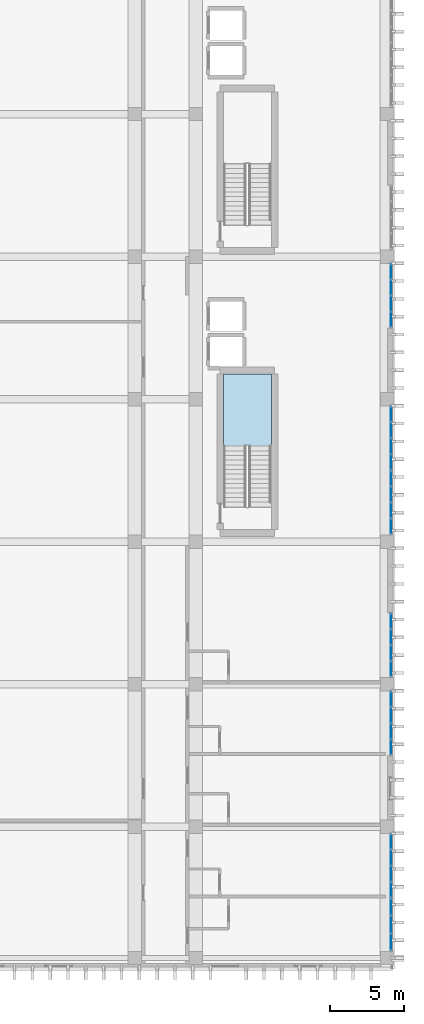
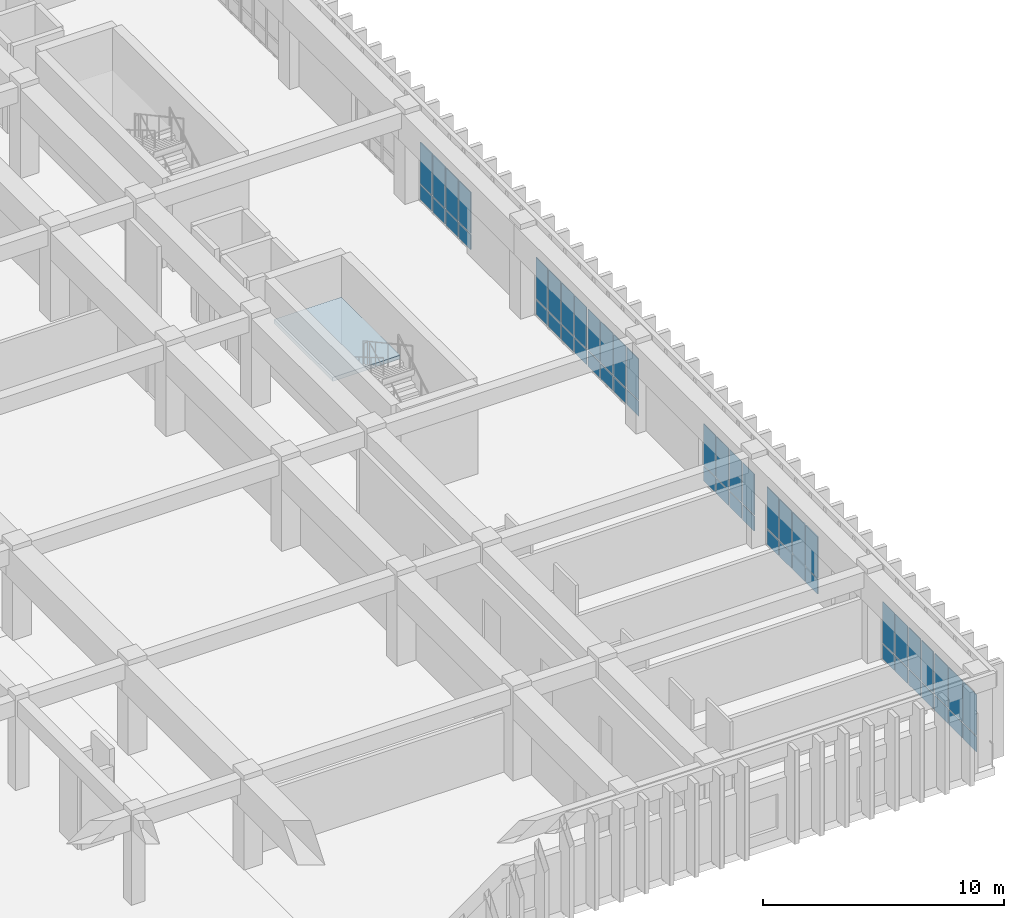
# One storey, part 67 of 101: 54 plates, 1 slab, 8 elements without a shape of their own.
"""IFC4 building model written with IfcOpenShell, lengths in metres."""

from ifc_helpers import new_model, si_unit, direction, frame, origin, origin_2d, place, context, subcontext, project, spatial, polyline, rectangle, outline, extrude, material, layer, layer_set, type_object, element, aggregate, save


model = new_model("IFC4")

# Units and contexts
model_context = context("Model", 3, precision=1e-05, world=origin(), true_north=direction((0.0, 1.0)))
body_context = subcontext(model_context, "Body", "Model", "MODEL_VIEW")
ifc_project = project(units=[si_unit("LENGTHUNIT", "METRE"), si_unit("AREAUNIT", "SQUARE_METRE"), si_unit("VOLUMEUNIT", "CUBIC_METRE"), si_unit("PLANEANGLEUNIT", "RADIAN"), si_unit("MASSUNIT", "GRAM", prefix="KILO")], contexts=[model_context])

# Site, building, storey
site_placement = place(None, origin())
site = spatial("IfcSite", under=ifc_project, at=site_placement, CompositionType="ELEMENT")
building_placement = place(site_placement, origin())
building = spatial("IfcBuilding", under=site, at=building_placement, Name="Nakhvara Creek Congress Hotel", CompositionType="ELEMENT")
storey_placement = place(building_placement, frame((0.0, 0.0, 16.199951171875)))
storey = spatial("IfcBuildingStorey", under=building, at=storey_placement, Name="L03", CompositionType="ELEMENT", Elevation=16.199951171875)

# Curtain wall, plates
ifc_material_1 = material(Name="Bronze-anodised aluminium AW-6063-T6 and double-silver low-E glass", Category="aluminium")
ifc_layer_1 = layer(ifc_material_1, 0.199951171875)
ifc_layer_set_1 = layer_set([ifc_layer_1], Name="Bronze-anodised aluminium AW-6063-T6 and double-silver low-E glass")
curtain_wall_type = type_object("IfcCurtainWallType", Name="CW-HTL-UNIT", PredefinedType="USERDEFINED", material=ifc_layer_set_1)
curtain_wall_1_placement = place(storey_placement, origin())
curtain_wall_1 = element("IfcCurtainWall", 1, at=curtain_wall_1_placement, inside=storey, type_object=curtain_wall_type, Name="Curtain Wall CW150", ObjectType="UNITISED", PredefinedType="USERDEFINED")
ifc_material_2 = material(Name="Double-silver solar-control low-E insulated glass", Category="glass")
plate_type_1 = type_object("IfcPlateType", Name="PNL-GLZ-120X250", PredefinedType="CURTAIN_PANEL", material=ifc_material_2)
plate_1_placement = place(storey_placement, frame((179.60009765625, 4.186279296875, 0.065185546875), z_axis=(0.0, 0.0, 1.0), x_axis=(0.0, -1.0, 0.0)))
plate_1 = element("IfcPlate", 2, at=plate_1_placement, type_object=plate_type_1, Name="CW150 panel 1.1", PredefinedType="CURTAIN_PANEL", context=body_context, shape_type="SweptSolid", body=[
    extrude(rectangle(XDim=1.097412109375, YDim=0.028076171875, at=origin_2d()), origin(), (0.0, 0.0, 1.0), 0.75244140625),
])
plate_2_placement = place(storey_placement, frame((179.60009765625, 4.186279296875, 0.882568359375), z_axis=(0.0, 0.0, 1.0), x_axis=(0.0, -1.0, 0.0)))
plate_2 = element("IfcPlate", 3, at=plate_2_placement, type_object=plate_type_1, Name="CW150 panel 1.2", PredefinedType="CURTAIN_PANEL", context=body_context, shape_type="SweptSolid", body=[
    extrude(rectangle(XDim=1.097412109375, YDim=0.028076171875, at=origin_2d()), origin(), (0.0, 0.0, 1.0), 2.08447265625),
])
plate_3_placement = place(storey_placement, frame((179.60009765625, 3.007568359375, 0.065185546875), z_axis=(0.0, 0.0, 1.0), x_axis=(0.0, -1.0, 0.0)))
plate_3 = element("IfcPlate", 4, at=plate_3_placement, type_object=plate_type_1, Name="CW150 panel 2.1", PredefinedType="CURTAIN_PANEL", context=body_context, shape_type="SweptSolid", body=[
    extrude(rectangle(XDim=1.1298828125, YDim=0.028076171875, at=origin_2d()), origin(), (0.0, 0.0, 1.0), 0.75244140625),
])
plate_4_placement = place(storey_placement, frame((179.60009765625, 3.007568359375, 0.882568359375), z_axis=(0.0, 0.0, 1.0), x_axis=(0.0, -1.0, 0.0)))
plate_4 = element("IfcPlate", 5, at=plate_4_placement, type_object=plate_type_1, Name="CW150 panel 2.2", PredefinedType="CURTAIN_PANEL", context=body_context, shape_type="SweptSolid", body=[
    extrude(rectangle(XDim=1.1298828125, YDim=0.028076171875, at=origin_2d()), origin(), (0.0, 0.0, 1.0), 2.08447265625),
])
plate_5_placement = place(storey_placement, frame((179.60009765625, 1.828857421875, 0.065185546875), z_axis=(0.0, 0.0, 1.0), x_axis=(0.0, -1.0, 0.0)))
plate_5 = element("IfcPlate", 6, at=plate_5_placement, type_object=plate_type_1, Name="CW150 panel 3.1", PredefinedType="CURTAIN_PANEL", context=body_context, shape_type="SweptSolid", body=[
    extrude(rectangle(XDim=1.097412109375, YDim=0.028076171875, at=origin_2d()), origin(), (0.0, 0.0, 1.0), 0.75244140625),
])
plate_6_placement = place(storey_placement, frame((179.60009765625, 1.828857421875, 0.882568359375), z_axis=(0.0, 0.0, 1.0), x_axis=(0.0, -1.0, 0.0)))
plate_6 = element("IfcPlate", 7, at=plate_6_placement, type_object=plate_type_1, Name="CW150 panel 3.2", PredefinedType="CURTAIN_PANEL", context=body_context, shape_type="SweptSolid", body=[
    extrude(rectangle(XDim=1.097412109375, YDim=0.028076171875, at=origin_2d()), origin(), (0.0, 0.0, 1.0), 2.08447265625),
])
aggregate(curtain_wall_1, [plate_1, plate_2, plate_3, plate_4, plate_5, plate_6])

curtain_wall_2_placement = place(storey_placement, origin())
curtain_wall_2 = element("IfcCurtainWall", 8, at=curtain_wall_2_placement, inside=storey, type_object=curtain_wall_type, Name="Curtain Wall CW151", ObjectType="UNITISED", PredefinedType="USERDEFINED")
plate_7_placement = place(storey_placement, frame((179.60009765625, 8.576904296875, 0.065185546875), z_axis=(0.0, 0.0, 1.0), x_axis=(0.0, -1.0, 0.0)))
plate_7 = element("IfcPlate", 9, at=plate_7_placement, type_object=plate_type_1, Name="CW151 panel 1.1", PredefinedType="CURTAIN_PANEL", context=body_context, shape_type="SweptSolid", body=[
    extrude(rectangle(XDim=0.986328125, YDim=0.028076171875, at=origin_2d()), origin(), (0.0, 0.0, 1.0), 0.75244140625),
])
plate_8_placement = place(storey_placement, frame((179.60009765625, 8.576904296875, 0.882568359375), z_axis=(0.0, 0.0, 1.0), x_axis=(0.0, -1.0, 0.0)))
plate_8 = element("IfcPlate", 10, at=plate_8_placement, type_object=plate_type_1, Name="CW151 panel 1.2", PredefinedType="CURTAIN_PANEL", context=body_context, shape_type="SweptSolid", body=[
    extrude(rectangle(XDim=0.986328125, YDim=0.028076171875, at=origin_2d()), origin(), (0.0, 0.0, 1.0), 2.08447265625),
])
plate_9_placement = place(storey_placement, frame((179.60009765625, 7.50927734375, 0.065185546875), z_axis=(0.0, 0.0, 1.0), x_axis=(0.0, -1.0, 0.0)))
plate_9 = element("IfcPlate", 11, at=plate_9_placement, type_object=plate_type_1, Name="CW151 panel 2.1", PredefinedType="CURTAIN_PANEL", context=body_context, shape_type="SweptSolid", body=[
    extrude(rectangle(XDim=1.018798828125, YDim=0.028076171875, at=origin_2d()), origin(), (0.0, 0.0, 1.0), 0.75244140625),
])
plate_10_placement = place(storey_placement, frame((179.60009765625, 7.50927734375, 0.882568359375), z_axis=(0.0, 0.0, 1.0), x_axis=(0.0, -1.0, 0.0)))
plate_10 = element("IfcPlate", 12, at=plate_10_placement, type_object=plate_type_1, Name="CW151 panel 2.2", PredefinedType="CURTAIN_PANEL", context=body_context, shape_type="SweptSolid", body=[
    extrude(rectangle(XDim=1.018798828125, YDim=0.028076171875, at=origin_2d()), origin(), (0.0, 0.0, 1.0), 2.08447265625),
])
plate_11_placement = place(storey_placement, frame((179.60009765625, 6.425537109375, 0.065185546875), z_axis=(0.0, 0.0, 1.0), x_axis=(0.0, -1.0, 0.0)))
plate_11 = element("IfcPlate", 13, at=plate_11_placement, type_object=plate_type_1, Name="CW151 panel 3.1", PredefinedType="CURTAIN_PANEL", context=body_context, shape_type="SweptSolid", body=[
    extrude(rectangle(XDim=1.018798828125, YDim=0.028076171875, at=origin_2d()), origin(), (0.0, 0.0, 1.0), 0.75244140625),
])
plate_12_placement = place(storey_placement, frame((179.60009765625, 6.425537109375, 0.882568359375), z_axis=(0.0, 0.0, 1.0), x_axis=(0.0, -1.0, 0.0)))
plate_12 = element("IfcPlate", 14, at=plate_12_placement, type_object=plate_type_1, Name="CW151 panel 3.2", PredefinedType="CURTAIN_PANEL", context=body_context, shape_type="SweptSolid", body=[
    extrude(rectangle(XDim=1.018798828125, YDim=0.028076171875, at=origin_2d()), origin(), (0.0, 0.0, 1.0), 2.08447265625),
])
plate_13_placement = place(storey_placement, frame((179.60009765625, 5.358154296875, 0.065185546875), z_axis=(0.0, 0.0, 1.0), x_axis=(0.0, -1.0, 0.0)))
plate_13 = element("IfcPlate", 15, at=plate_13_placement, type_object=plate_type_1, Name="CW151 panel 4.1", PredefinedType="CURTAIN_PANEL", context=body_context, shape_type="SweptSolid", body=[
    extrude(rectangle(XDim=0.986328125, YDim=0.028076171875, at=origin_2d()), origin(), (0.0, 0.0, 1.0), 0.75244140625),
])
plate_14_placement = place(storey_placement, frame((179.60009765625, 5.358154296875, 0.882568359375), z_axis=(0.0, 0.0, 1.0), x_axis=(0.0, -1.0, 0.0)))
plate_14 = element("IfcPlate", 16, at=plate_14_placement, type_object=plate_type_1, Name="CW151 panel 4.2", PredefinedType="CURTAIN_PANEL", context=body_context, shape_type="SweptSolid", body=[
    extrude(rectangle(XDim=0.986328125, YDim=0.028076171875, at=origin_2d()), origin(), (0.0, 0.0, 1.0), 2.08447265625),
])
aggregate(curtain_wall_2, [plate_7, plate_8, plate_9, plate_10, plate_11, plate_12, plate_13, plate_14])

curtain_wall_3_placement = place(storey_placement, origin())
curtain_wall_3 = element("IfcCurtainWall", 17, at=curtain_wall_3_placement, inside=storey, type_object=curtain_wall_type, Name="Curtain Wall CW153", ObjectType="UNITISED", PredefinedType="USERDEFINED")
plate_15_placement = place(storey_placement, frame((179.60009765625, 23.44189453125, 0.065185546875), z_axis=(0.0, 0.0, 1.0), x_axis=(0.0, -1.0, 0.0)))
plate_15 = element("IfcPlate", 18, at=plate_15_placement, type_object=plate_type_1, Name="CW153 panel 1.1", PredefinedType="CURTAIN_PANEL", context=body_context, shape_type="SweptSolid", body=[
    extrude(rectangle(XDim=0.986328125, YDim=0.028076171875, at=origin_2d()), origin(), (0.0, 0.0, 1.0), 0.75244140625),
])
plate_16_placement = place(storey_placement, frame((179.60009765625, 23.44189453125, 0.882568359375), z_axis=(0.0, 0.0, 1.0), x_axis=(0.0, -1.0, 0.0)))
plate_16 = element("IfcPlate", 19, at=plate_16_placement, type_object=plate_type_1, Name="CW153 panel 1.2", PredefinedType="CURTAIN_PANEL", context=body_context, shape_type="SweptSolid", body=[
    extrude(rectangle(XDim=0.986328125, YDim=0.028076171875, at=origin_2d()), origin(), (0.0, 0.0, 1.0), 2.08447265625),
])
plate_17_placement = place(storey_placement, frame((179.60009765625, 22.374267578125, 0.065185546875), z_axis=(0.0, 0.0, 1.0), x_axis=(0.0, -1.0, 0.0)))
plate_17 = element("IfcPlate", 20, at=plate_17_placement, type_object=plate_type_1, Name="CW153 panel 2.1", PredefinedType="CURTAIN_PANEL", context=body_context, shape_type="SweptSolid", body=[
    extrude(rectangle(XDim=1.018798828125, YDim=0.028076171875, at=origin_2d()), origin(), (0.0, 0.0, 1.0), 0.75244140625),
])
plate_18_placement = place(storey_placement, frame((179.60009765625, 22.374267578125, 0.882568359375), z_axis=(0.0, 0.0, 1.0), x_axis=(0.0, -1.0, 0.0)))
plate_18 = element("IfcPlate", 21, at=plate_18_placement, type_object=plate_type_1, Name="CW153 panel 2.2", PredefinedType="CURTAIN_PANEL", context=body_context, shape_type="SweptSolid", body=[
    extrude(rectangle(XDim=1.018798828125, YDim=0.028076171875, at=origin_2d()), origin(), (0.0, 0.0, 1.0), 2.08447265625),
])
plate_19_placement = place(storey_placement, frame((179.60009765625, 21.29052734375, 0.065185546875), z_axis=(0.0, 0.0, 1.0), x_axis=(0.0, -1.0, 0.0)))
plate_19 = element("IfcPlate", 22, at=plate_19_placement, type_object=plate_type_1, Name="CW153 panel 3.1", PredefinedType="CURTAIN_PANEL", context=body_context, shape_type="SweptSolid", body=[
    extrude(rectangle(XDim=1.018798828125, YDim=0.028076171875, at=origin_2d()), origin(), (0.0, 0.0, 1.0), 0.75244140625),
])
plate_20_placement = place(storey_placement, frame((179.60009765625, 21.29052734375, 0.882568359375), z_axis=(0.0, 0.0, 1.0), x_axis=(0.0, -1.0, 0.0)))
plate_20 = element("IfcPlate", 23, at=plate_20_placement, type_object=plate_type_1, Name="CW153 panel 3.2", PredefinedType="CURTAIN_PANEL", context=body_context, shape_type="SweptSolid", body=[
    extrude(rectangle(XDim=1.018798828125, YDim=0.028076171875, at=origin_2d()), origin(), (0.0, 0.0, 1.0), 2.08447265625),
])
plate_21_placement = place(storey_placement, frame((179.60009765625, 20.22314453125, 0.065185546875), z_axis=(0.0, 0.0, 1.0), x_axis=(0.0, -1.0, 0.0)))
plate_21 = element("IfcPlate", 24, at=plate_21_placement, type_object=plate_type_1, Name="CW153 panel 4.1", PredefinedType="CURTAIN_PANEL", context=body_context, shape_type="SweptSolid", body=[
    extrude(rectangle(XDim=0.986328125, YDim=0.028076171875, at=origin_2d()), origin(), (0.0, 0.0, 1.0), 0.75244140625),
])
plate_22_placement = place(storey_placement, frame((179.60009765625, 20.22314453125, 0.882568359375), z_axis=(0.0, 0.0, 1.0), x_axis=(0.0, -1.0, 0.0)))
plate_22 = element("IfcPlate", 25, at=plate_22_placement, type_object=plate_type_1, Name="CW153 panel 4.2", PredefinedType="CURTAIN_PANEL", context=body_context, shape_type="SweptSolid", body=[
    extrude(rectangle(XDim=0.986328125, YDim=0.028076171875, at=origin_2d()), origin(), (0.0, 0.0, 1.0), 2.08447265625),
])
aggregate(curtain_wall_3, [plate_15, plate_16, plate_17, plate_18, plate_19, plate_20, plate_21, plate_22])

curtain_wall_4_placement = place(storey_placement, origin())
curtain_wall_4 = element("IfcCurtainWall", 26, at=curtain_wall_4_placement, inside=storey, type_object=curtain_wall_type, Name="Curtain Wall CW154", ObjectType="UNITISED", PredefinedType="USERDEFINED")
plate_23_placement = place(storey_placement, frame((179.60009765625, 33.0419921875, 0.065185546875), z_axis=(0.0, 0.0, 1.0), x_axis=(0.0, -1.0, 0.0)))
plate_23 = element("IfcPlate", 27, at=plate_23_placement, type_object=plate_type_1, Name="CW154 panel 1.1", PredefinedType="CURTAIN_PANEL", context=body_context, shape_type="SweptSolid", body=[
    extrude(rectangle(XDim=0.986328125, YDim=0.028076171875, at=origin_2d()), origin(), (0.0, 0.0, 1.0), 0.75244140625),
])
plate_24_placement = place(storey_placement, frame((179.60009765625, 33.0419921875, 0.882568359375), z_axis=(0.0, 0.0, 1.0), x_axis=(0.0, -1.0, 0.0)))
plate_24 = element("IfcPlate", 28, at=plate_24_placement, type_object=plate_type_1, Name="CW154 panel 1.2", PredefinedType="CURTAIN_PANEL", context=body_context, shape_type="SweptSolid", body=[
    extrude(rectangle(XDim=0.986328125, YDim=0.028076171875, at=origin_2d()), origin(), (0.0, 0.0, 1.0), 2.08447265625),
])
plate_25_placement = place(storey_placement, frame((179.60009765625, 31.974365234375, 0.065185546875), z_axis=(0.0, 0.0, 1.0), x_axis=(0.0, -1.0, 0.0)))
plate_25 = element("IfcPlate", 29, at=plate_25_placement, type_object=plate_type_1, Name="CW154 panel 2.1", PredefinedType="CURTAIN_PANEL", context=body_context, shape_type="SweptSolid", body=[
    extrude(rectangle(XDim=1.018798828125, YDim=0.028076171875, at=origin_2d()), origin(), (0.0, 0.0, 1.0), 0.75244140625),
])
plate_26_placement = place(storey_placement, frame((179.60009765625, 31.974365234375, 0.882568359375), z_axis=(0.0, 0.0, 1.0), x_axis=(0.0, -1.0, 0.0)))
plate_26 = element("IfcPlate", 30, at=plate_26_placement, type_object=plate_type_1, Name="CW154 panel 2.2", PredefinedType="CURTAIN_PANEL", context=body_context, shape_type="SweptSolid", body=[
    extrude(rectangle(XDim=1.018798828125, YDim=0.028076171875, at=origin_2d()), origin(), (0.0, 0.0, 1.0), 2.08447265625),
])
plate_27_placement = place(storey_placement, frame((179.60009765625, 30.890625, 0.065185546875), z_axis=(0.0, 0.0, 1.0), x_axis=(0.0, -1.0, 0.0)))
plate_27 = element("IfcPlate", 31, at=plate_27_placement, type_object=plate_type_1, Name="CW154 panel 3.1", PredefinedType="CURTAIN_PANEL", context=body_context, shape_type="SweptSolid", body=[
    extrude(rectangle(XDim=1.018798828125, YDim=0.028076171875, at=origin_2d()), origin(), (0.0, 0.0, 1.0), 0.75244140625),
])
plate_28_placement = place(storey_placement, frame((179.60009765625, 30.890625, 0.882568359375), z_axis=(0.0, 0.0, 1.0), x_axis=(0.0, -1.0, 0.0)))
plate_28 = element("IfcPlate", 32, at=plate_28_placement, type_object=plate_type_1, Name="CW154 panel 3.2", PredefinedType="CURTAIN_PANEL", context=body_context, shape_type="SweptSolid", body=[
    extrude(rectangle(XDim=1.018798828125, YDim=0.028076171875, at=origin_2d()), origin(), (0.0, 0.0, 1.0), 2.08447265625),
])
plate_29_placement = place(storey_placement, frame((179.60009765625, 29.8232421875, 0.065185546875), z_axis=(0.0, 0.0, 1.0), x_axis=(0.0, -1.0, 0.0)))
plate_29 = element("IfcPlate", 33, at=plate_29_placement, type_object=plate_type_1, Name="CW154 panel 4.1", PredefinedType="CURTAIN_PANEL", context=body_context, shape_type="SweptSolid", body=[
    extrude(rectangle(XDim=0.986328125, YDim=0.028076171875, at=origin_2d()), origin(), (0.0, 0.0, 1.0), 0.75244140625),
])
plate_30_placement = place(storey_placement, frame((179.60009765625, 29.8232421875, 0.882568359375), z_axis=(0.0, 0.0, 1.0), x_axis=(0.0, -1.0, 0.0)))
plate_30 = element("IfcPlate", 34, at=plate_30_placement, type_object=plate_type_1, Name="CW154 panel 4.2", PredefinedType="CURTAIN_PANEL", context=body_context, shape_type="SweptSolid", body=[
    extrude(rectangle(XDim=0.986328125, YDim=0.028076171875, at=origin_2d()), origin(), (0.0, 0.0, 1.0), 2.08447265625),
])
aggregate(curtain_wall_4, [plate_23, plate_24, plate_25, plate_26, plate_27, plate_28, plate_29, plate_30])

curtain_wall_5_placement = place(storey_placement, origin())
curtain_wall_5 = element("IfcCurtainWall", 35, at=curtain_wall_5_placement, inside=storey, type_object=curtain_wall_type, Name="Curtain Wall CW155", ObjectType="UNITISED", PredefinedType="USERDEFINED")
plate_31_placement = place(storey_placement, frame((179.60009765625, 37.376953125, 0.065185546875), z_axis=(0.0, 0.0, 1.0), x_axis=(0.0, -1.0, 0.0)))
plate_31 = element("IfcPlate", 36, at=plate_31_placement, type_object=plate_type_1, Name="CW155 panel 1.1", PredefinedType="CURTAIN_PANEL", context=body_context, shape_type="SweptSolid", body=[
    extrude(rectangle(XDim=0.986328125, YDim=0.028076171875, at=origin_2d()), origin(), (0.0, 0.0, 1.0), 0.75244140625),
])
plate_32_placement = place(storey_placement, frame((179.60009765625, 37.376953125, 0.882568359375), z_axis=(0.0, 0.0, 1.0), x_axis=(0.0, -1.0, 0.0)))
plate_32 = element("IfcPlate", 37, at=plate_32_placement, type_object=plate_type_1, Name="CW155 panel 1.2", PredefinedType="CURTAIN_PANEL", context=body_context, shape_type="SweptSolid", body=[
    extrude(rectangle(XDim=0.986328125, YDim=0.028076171875, at=origin_2d()), origin(), (0.0, 0.0, 1.0), 2.08447265625),
])
plate_33_placement = place(storey_placement, frame((179.60009765625, 36.309326171875, 0.065185546875), z_axis=(0.0, 0.0, 1.0), x_axis=(0.0, -1.0, 0.0)))
plate_33 = element("IfcPlate", 38, at=plate_33_placement, type_object=plate_type_1, Name="CW155 panel 2.1", PredefinedType="CURTAIN_PANEL", context=body_context, shape_type="SweptSolid", body=[
    extrude(rectangle(XDim=1.018798828125, YDim=0.028076171875, at=origin_2d()), origin(), (0.0, 0.0, 1.0), 0.75244140625),
])
plate_34_placement = place(storey_placement, frame((179.60009765625, 36.309326171875, 0.882568359375), z_axis=(0.0, 0.0, 1.0), x_axis=(0.0, -1.0, 0.0)))
plate_34 = element("IfcPlate", 39, at=plate_34_placement, type_object=plate_type_1, Name="CW155 panel 2.2", PredefinedType="CURTAIN_PANEL", context=body_context, shape_type="SweptSolid", body=[
    extrude(rectangle(XDim=1.018798828125, YDim=0.028076171875, at=origin_2d()), origin(), (0.0, 0.0, 1.0), 2.08447265625),
])
plate_35_placement = place(storey_placement, frame((179.60009765625, 35.2255859375, 0.065185546875), z_axis=(0.0, 0.0, 1.0), x_axis=(0.0, -1.0, 0.0)))
plate_35 = element("IfcPlate", 40, at=plate_35_placement, type_object=plate_type_1, Name="CW155 panel 3.1", PredefinedType="CURTAIN_PANEL", context=body_context, shape_type="SweptSolid", body=[
    extrude(rectangle(XDim=1.018798828125, YDim=0.028076171875, at=origin_2d()), origin(), (0.0, 0.0, 1.0), 0.75244140625),
])
plate_36_placement = place(storey_placement, frame((179.60009765625, 35.2255859375, 0.882568359375), z_axis=(0.0, 0.0, 1.0), x_axis=(0.0, -1.0, 0.0)))
plate_36 = element("IfcPlate", 41, at=plate_36_placement, type_object=plate_type_1, Name="CW155 panel 3.2", PredefinedType="CURTAIN_PANEL", context=body_context, shape_type="SweptSolid", body=[
    extrude(rectangle(XDim=1.018798828125, YDim=0.028076171875, at=origin_2d()), origin(), (0.0, 0.0, 1.0), 2.08447265625),
])
plate_37_placement = place(storey_placement, frame((179.60009765625, 34.158203125, 0.065185546875), z_axis=(0.0, 0.0, 1.0), x_axis=(0.0, -1.0, 0.0)))
plate_37 = element("IfcPlate", 42, at=plate_37_placement, type_object=plate_type_1, Name="CW155 panel 4.1", PredefinedType="CURTAIN_PANEL", context=body_context, shape_type="SweptSolid", body=[
    extrude(rectangle(XDim=0.986328125, YDim=0.028076171875, at=origin_2d()), origin(), (0.0, 0.0, 1.0), 0.75244140625),
])
plate_38_placement = place(storey_placement, frame((179.60009765625, 34.158203125, 0.882568359375), z_axis=(0.0, 0.0, 1.0), x_axis=(0.0, -1.0, 0.0)))
plate_38 = element("IfcPlate", 43, at=plate_38_placement, type_object=plate_type_1, Name="CW155 panel 4.2", PredefinedType="CURTAIN_PANEL", context=body_context, shape_type="SweptSolid", body=[
    extrude(rectangle(XDim=0.986328125, YDim=0.028076171875, at=origin_2d()), origin(), (0.0, 0.0, 1.0), 2.08447265625),
])
aggregate(curtain_wall_5, [plate_31, plate_32, plate_33, plate_34, plate_35, plate_36, plate_37, plate_38])

curtain_wall_6_placement = place(storey_placement, origin())
curtain_wall_6 = element("IfcCurtainWall", 44, at=curtain_wall_6_placement, inside=storey, type_object=curtain_wall_type, Name="Curtain Wall CW152", ObjectType="UNITISED", PredefinedType="USERDEFINED")
ifc_material_3 = material(Name="Back-insulated bronze spandrel glass panel", Category="glass")
plate_type_2 = type_object("IfcPlateType", Name="PNL-SPN-120X080", PredefinedType="CURTAIN_PANEL", material=ifc_material_3)
plate_39_placement = place(storey_placement, frame((179.60009765625, 18.1767578125, 0.065185546875), z_axis=(0.0, 0.0, 1.0), x_axis=(0.0, -1.0, 0.0)))
plate_39 = element("IfcPlate", 45, at=plate_39_placement, type_object=plate_type_2, Name="CW152 panel 1.1", PredefinedType="CURTAIN_PANEL", context=body_context, shape_type="SweptSolid", body=[
    extrude(rectangle(XDim=0.986328125, YDim=0.0419921875, at=origin_2d()), origin(), (0.0, 0.0, 1.0), 0.75244140625),
])
plate_40_placement = place(storey_placement, frame((179.60009765625, 18.1767578125, 0.882568359375), z_axis=(0.0, 0.0, 1.0), x_axis=(0.0, -1.0, 0.0)))
plate_40 = element("IfcPlate", 46, at=plate_40_placement, type_object=plate_type_2, Name="CW152 panel 1.2", PredefinedType="CURTAIN_PANEL", context=body_context, shape_type="SweptSolid", body=[
    extrude(rectangle(XDim=0.986328125, YDim=0.0419921875, at=origin_2d()), origin(), (0.0, 0.0, 1.0), 2.08447265625),
])
plate_41_placement = place(storey_placement, frame((179.60009765625, 17.109375, 0.065185546875), z_axis=(0.0, 0.0, 1.0), x_axis=(0.0, -1.0, 0.0)))
plate_41 = element("IfcPlate", 47, at=plate_41_placement, type_object=plate_type_2, Name="CW152 panel 2.1", PredefinedType="CURTAIN_PANEL", context=body_context, shape_type="SweptSolid", body=[
    extrude(rectangle(XDim=1.018798828125, YDim=0.0419921875, at=origin_2d()), origin(), (0.0, 0.0, 1.0), 0.75244140625),
])
plate_42_placement = place(storey_placement, frame((179.60009765625, 17.109375, 0.882568359375), z_axis=(0.0, 0.0, 1.0), x_axis=(0.0, -1.0, 0.0)))
plate_42 = element("IfcPlate", 48, at=plate_42_placement, type_object=plate_type_2, Name="CW152 panel 2.2", PredefinedType="CURTAIN_PANEL", context=body_context, shape_type="SweptSolid", body=[
    extrude(rectangle(XDim=1.018798828125, YDim=0.0419921875, at=origin_2d()), origin(), (0.0, 0.0, 1.0), 2.08447265625),
])
plate_43_placement = place(storey_placement, frame((179.60009765625, 16.025634765625, 0.065185546875), z_axis=(0.0, 0.0, 1.0), x_axis=(0.0, -1.0, 0.0)))
plate_43 = element("IfcPlate", 49, at=plate_43_placement, type_object=plate_type_2, Name="CW152 panel 3.1", PredefinedType="CURTAIN_PANEL", context=body_context, shape_type="SweptSolid", body=[
    extrude(rectangle(XDim=1.018798828125, YDim=0.0419921875, at=origin_2d()), origin(), (0.0, 0.0, 1.0), 0.75244140625),
])
plate_44_placement = place(storey_placement, frame((179.60009765625, 16.025634765625, 0.882568359375), z_axis=(0.0, 0.0, 1.0), x_axis=(0.0, -1.0, 0.0)))
plate_44 = element("IfcPlate", 50, at=plate_44_placement, type_object=plate_type_2, Name="CW152 panel 3.2", PredefinedType="CURTAIN_PANEL", context=body_context, shape_type="SweptSolid", body=[
    extrude(rectangle(XDim=1.018798828125, YDim=0.0419921875, at=origin_2d()), origin(), (0.0, 0.0, 1.0), 2.08447265625),
])
plate_45_placement = place(storey_placement, frame((179.60009765625, 14.9580078125, 0.065185546875), z_axis=(0.0, 0.0, 1.0), x_axis=(0.0, -1.0, 0.0)))
plate_45 = element("IfcPlate", 51, at=plate_45_placement, type_object=plate_type_2, Name="CW152 panel 4.1", PredefinedType="CURTAIN_PANEL", context=body_context, shape_type="SweptSolid", body=[
    extrude(rectangle(XDim=0.986328125, YDim=0.0419921875, at=origin_2d()), origin(), (0.0, 0.0, 1.0), 0.75244140625),
])
plate_46_placement = place(storey_placement, frame((179.60009765625, 14.9580078125, 0.882568359375), z_axis=(0.0, 0.0, 1.0), x_axis=(0.0, -1.0, 0.0)))
plate_46 = element("IfcPlate", 52, at=plate_46_placement, type_object=plate_type_2, Name="CW152 panel 4.2", PredefinedType="CURTAIN_PANEL", context=body_context, shape_type="SweptSolid", body=[
    extrude(rectangle(XDim=0.986328125, YDim=0.0419921875, at=origin_2d()), origin(), (0.0, 0.0, 1.0), 2.08447265625),
])
aggregate(curtain_wall_6, [plate_39, plate_40, plate_41, plate_42, plate_43, plate_44, plate_45, plate_46])

curtain_wall_7_placement = place(storey_placement, origin())
curtain_wall_7 = element("IfcCurtainWall", 53, at=curtain_wall_7_placement, inside=storey, type_object=curtain_wall_type, Name="Curtain Wall CW156", ObjectType="UNITISED", PredefinedType="USERDEFINED")
plate_47_placement = place(storey_placement, frame((179.60009765625, 46.976806640625, 0.065185546875), z_axis=(0.0, 0.0, 1.0), x_axis=(0.0, -1.0, 0.0)))
plate_47 = element("IfcPlate", 54, at=plate_47_placement, type_object=plate_type_2, Name="CW156 panel 1.1", PredefinedType="CURTAIN_PANEL", context=body_context, shape_type="SweptSolid", body=[
    extrude(rectangle(XDim=0.986328125, YDim=0.0419921875, at=origin_2d()), origin(), (0.0, 0.0, 1.0), 0.75244140625),
])
plate_48_placement = place(storey_placement, frame((179.60009765625, 46.976806640625, 0.882568359375), z_axis=(0.0, 0.0, 1.0), x_axis=(0.0, -1.0, 0.0)))
plate_48 = element("IfcPlate", 55, at=plate_48_placement, type_object=plate_type_2, Name="CW156 panel 1.2", PredefinedType="CURTAIN_PANEL", context=body_context, shape_type="SweptSolid", body=[
    extrude(rectangle(XDim=0.986328125, YDim=0.0419921875, at=origin_2d()), origin(), (0.0, 0.0, 1.0), 2.08447265625),
])
plate_49_placement = place(storey_placement, frame((179.60009765625, 45.909423828125, 0.065185546875), z_axis=(0.0, 0.0, 1.0), x_axis=(0.0, -1.0, 0.0)))
plate_49 = element("IfcPlate", 56, at=plate_49_placement, type_object=plate_type_2, Name="CW156 panel 2.1", PredefinedType="CURTAIN_PANEL", context=body_context, shape_type="SweptSolid", body=[
    extrude(rectangle(XDim=1.018798828125, YDim=0.0419921875, at=origin_2d()), origin(), (0.0, 0.0, 1.0), 0.75244140625),
])
plate_50_placement = place(storey_placement, frame((179.60009765625, 45.909423828125, 0.882568359375), z_axis=(0.0, 0.0, 1.0), x_axis=(0.0, -1.0, 0.0)))
plate_50 = element("IfcPlate", 57, at=plate_50_placement, type_object=plate_type_2, Name="CW156 panel 2.2", PredefinedType="CURTAIN_PANEL", context=body_context, shape_type="SweptSolid", body=[
    extrude(rectangle(XDim=1.018798828125, YDim=0.0419921875, at=origin_2d()), origin(), (0.0, 0.0, 1.0), 2.08447265625),
])
plate_51_placement = place(storey_placement, frame((179.60009765625, 44.82568359375, 0.065185546875), z_axis=(0.0, 0.0, 1.0), x_axis=(0.0, -1.0, 0.0)))
plate_51 = element("IfcPlate", 58, at=plate_51_placement, type_object=plate_type_2, Name="CW156 panel 3.1", PredefinedType="CURTAIN_PANEL", context=body_context, shape_type="SweptSolid", body=[
    extrude(rectangle(XDim=1.018798828125, YDim=0.0419921875, at=origin_2d()), origin(), (0.0, 0.0, 1.0), 0.75244140625),
])
plate_52_placement = place(storey_placement, frame((179.60009765625, 44.82568359375, 0.882568359375), z_axis=(0.0, 0.0, 1.0), x_axis=(0.0, -1.0, 0.0)))
plate_52 = element("IfcPlate", 59, at=plate_52_placement, type_object=plate_type_2, Name="CW156 panel 3.2", PredefinedType="CURTAIN_PANEL", context=body_context, shape_type="SweptSolid", body=[
    extrude(rectangle(XDim=1.018798828125, YDim=0.0419921875, at=origin_2d()), origin(), (0.0, 0.0, 1.0), 2.08447265625),
])
plate_53_placement = place(storey_placement, frame((179.60009765625, 43.758056640625, 0.065185546875), z_axis=(0.0, 0.0, 1.0), x_axis=(0.0, -1.0, 0.0)))
plate_53 = element("IfcPlate", 60, at=plate_53_placement, type_object=plate_type_2, Name="CW156 panel 4.1", PredefinedType="CURTAIN_PANEL", context=body_context, shape_type="SweptSolid", body=[
    extrude(rectangle(XDim=0.986328125, YDim=0.0419921875, at=origin_2d()), origin(), (0.0, 0.0, 1.0), 0.75244140625),
])
plate_54_placement = place(storey_placement, frame((179.60009765625, 43.758056640625, 0.882568359375), z_axis=(0.0, 0.0, 1.0), x_axis=(0.0, -1.0, 0.0)))
plate_54 = element("IfcPlate", 61, at=plate_54_placement, type_object=plate_type_2, Name="CW156 panel 4.2", PredefinedType="CURTAIN_PANEL", context=body_context, shape_type="SweptSolid", body=[
    extrude(rectangle(XDim=0.986328125, YDim=0.0419921875, at=origin_2d()), origin(), (0.0, 0.0, 1.0), 2.08447265625),
])
aggregate(curtain_wall_7, [plate_47, plate_48, plate_49, plate_50, plate_51, plate_52, plate_53, plate_54])

# Stair, slab
ifc_material_4 = material(Name="Concrete C40/50", Category="concrete")
stair_type = type_object("IfcStairType", Name="ST-CORE-160", PredefinedType="HALF_TURN_STAIR", material=ifc_material_4)
stair_placement = place(storey_placement, origin())
stair = element("IfcStair", 62, at=stair_placement, inside=storey, type_object=stair_type, Name="L03 Protected Exit Stair ST03", PredefinedType="HALF_TURN_STAIR")
ifc_layer_2 = layer(ifc_material_4, 0.199951171875)
ifc_layer_set_2 = layer_set([ifc_layer_2], Name="Concrete C40/50")
slab_type = type_object("IfcSlabType", Name="SL-LAND-200", PredefinedType="LANDING", material=ifc_layer_set_2)
slab_placement = place(storey_placement, frame((0.0, 0.0, 2.199951171875)))
slab = element("IfcSlab", 63, at=slab_placement, type_object=slab_type, Name="ST03 landing 1", PredefinedType="LANDING", context=body_context, shape_type="SweptSolid", body=[
    extrude(outline(polyline([(171.550048828125, 35.235107421875), (171.550048828125, 40.10009765625), (168.320068359375, 40.10009765625), (168.320068359375, 35.235107421875), (171.550048828125, 35.235107421875)])), origin(), (0.0, 0.0, 1.0), 0.2001953125),
])
aggregate(stair, [slab])

save(model, "model.ifc")
